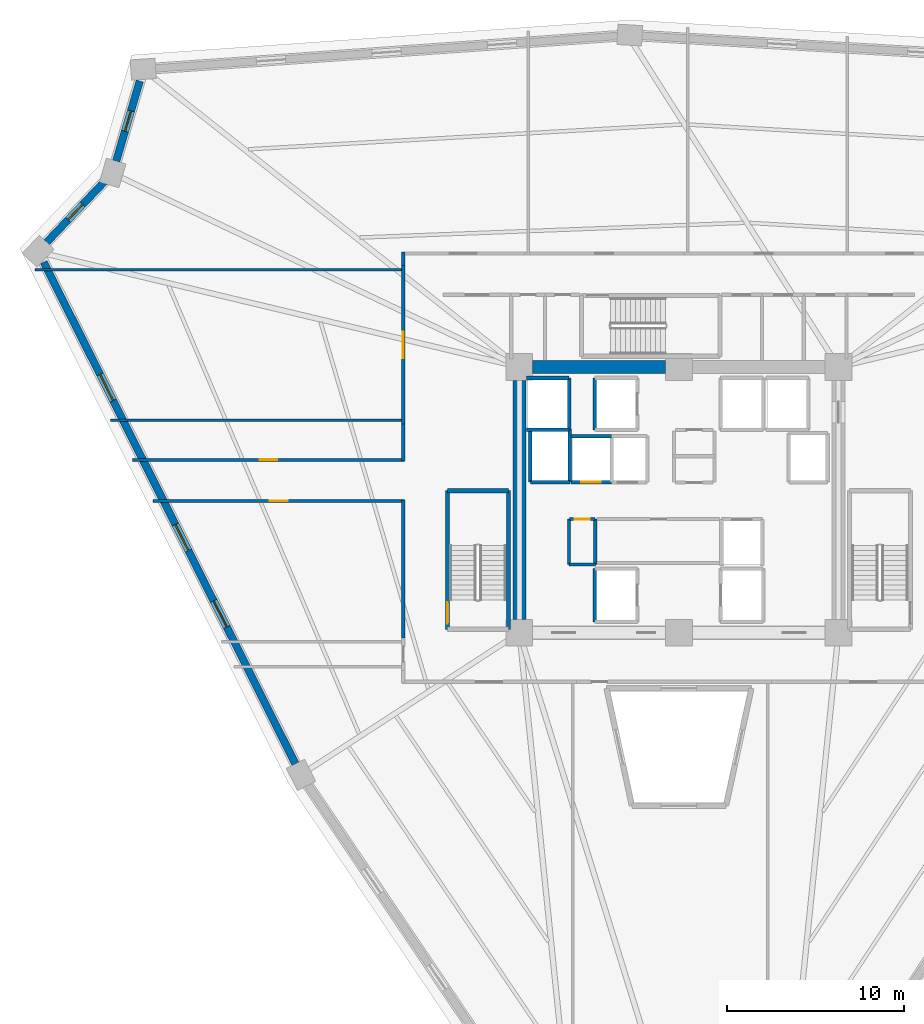
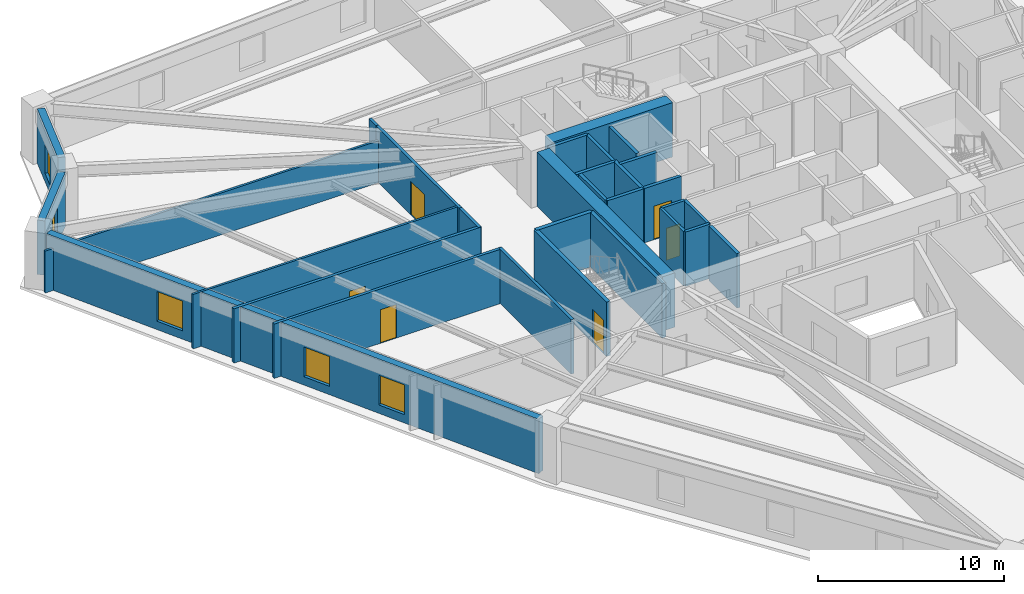
# One storey, part 4 of 9: 30 walls, 6 doors, 5 windows, 11 openings.
"""IFC4 building model written with IfcOpenShell, lengths in metres."""

from ifc_helpers import new_model, si_unit, direction, frame, frame_2d, origin, place, context, subcontext, project, spatial, rectangle, extrude, source, transform, mapped, material, layer, layer_set, type_object, element, fill, save


model = new_model("IFC4")

# Units and contexts
model_context = context("Model", 3, precision=1e-05, world=origin(), true_north=direction((0.0, 1.0)))
body_context = subcontext(model_context, "Body", "Model", "MODEL_VIEW")
ifc_project = project(units=[si_unit("LENGTHUNIT", "METRE"), si_unit("AREAUNIT", "SQUARE_METRE"), si_unit("VOLUMEUNIT", "CUBIC_METRE"), si_unit("PLANEANGLEUNIT", "RADIAN"), si_unit("MASSUNIT", "GRAM", prefix="KILO")], contexts=[model_context])

# Site, building, storey
site_placement = place(None, origin())
site = spatial("IfcSite", under=ifc_project, at=site_placement, CompositionType="ELEMENT")
building_placement = place(site_placement, origin())
building = spatial("IfcBuilding", under=site, at=building_placement, Name="Liaohun Quay Tower", CompositionType="ELEMENT")
storey_placement = place(building_placement, frame((0.0, 0.0, 132.0)))
storey = spatial("IfcBuildingStorey", under=building, at=storey_placement, Name="L34", CompositionType="ELEMENT", Elevation=132.0)

# Walls
ifc_material_1 = material(Name="Concrete C60", Category="concrete")
ifc_layer_1 = layer(ifc_material_1, 0.75, Name="Concrete C60", Category="concrete")
ifc_layer_set_1 = layer_set([ifc_layer_1], Name="Concrete C60")
wall_type_1 = type_object("IfcWallType", Name="WAL-COR-Z2", PredefinedType="SHEAR", material=ifc_layer_set_1)
wall_1_placement = place(storey_placement, frame((51.75, 61.5, 0.0), z_axis=(0.0, 0.0, 1.0), x_axis=(1.0, 0.0, 0.0)))
element("IfcWall", 1, at=wall_1_placement, inside=storey, type_object=wall_type_1, Name="L34 Central Core Shear Wall N-W", PredefinedType="SHEAR", context=body_context, shape_type="SweptSolid", body=[
    extrude(rectangle(XDim=7.5, YDim=0.75, at=frame_2d((3.75, 0.0))), origin(), (0.0, 0.0, 1.0), 3.570068359375),
])
wall_2_placement = place(storey_placement, frame((51.0, 47.25, 0.0), z_axis=(0.0, 0.0, 1.0), x_axis=(0.0, 1.0, 0.0)))
element("IfcWall", 2, at=wall_2_placement, inside=storey, type_object=wall_type_1, Name="L34 Central Core Shear Wall W", PredefinedType="SHEAR", context=body_context, shape_type="SweptSolid", body=[
    extrude(rectangle(XDim=13.5, YDim=0.75, at=frame_2d((6.75, 0.0))), origin(), (0.0, 0.0, 1.0), 3.570068359375),
])

# Wall, opening, window
ifc_material_2 = material(Name="Precast concrete C50 insulated sandwich", Category="concrete")
ifc_layer_2 = layer(ifc_material_2, 0.419921875, Name="Precast concrete C50 insulated sandwich", Category="concrete")
ifc_layer_set_2 = layer_set([ifc_layer_2], Name="Precast concrete C50 insulated sandwich")
wall_type_2 = type_object("IfcWallType", Name="WAL-EXT-Z12", PredefinedType="SOLIDWALL", material=ifc_layer_set_2)
wall_3_placement = place(storey_placement, frame((29.580078125, 77.636962890625, 0.0), z_axis=(0.0, 0.0, 1.0), x_axis=(-0.282785049885, -0.959183306549, 0.0)))
wall_3 = element("IfcWall", 3, at=wall_3_placement, inside=storey, type_object=wall_type_2, Name="L34 Brutalist Precast Pier Wall 08", PredefinedType="SOLIDWALL", context=body_context, shape_type="SweptSolid", body=[
    extrude(rectangle(XDim=4.720703125, YDim=0.419921875, at=frame_2d((2.3603515625, 0.0))), origin(), (0.0, 0.0, 1.0), 3.570068359375),
])
shared_shape_1 = source(origin(), body_context, "Body", "SweptSolid", [
    extrude(rectangle(XDim=1.199951171875, YDim=1.89990234375, at=frame_2d((0.60009765625, 0.949951171875))), frame((0.0, 0.219970703125, 0.0), z_axis=(0.0, -1.0, 0.0), x_axis=(1.0, 0.0, 0.0)), (0.0, 0.0, 1.0), 0.43994140625),
])
opening_1_placement = place(wall_3_placement, frame((1.760009765625, 0.0, 0.550048828125)))
opening_1 = element("IfcOpeningElement", 4, at=opening_1_placement, cuts=wall_3, Name="Opening W05", PredefinedType="OPENING", context=body_context, shape_type="MappedRepresentation", body=[
    mapped(shared_shape_1, transform((0.0, 0.0, 0.0), x_axis=(1.0, 0.0, 0.0), y_axis=(0.0, 1.0, 0.0), z_axis=(0.0, 0.0, 1.0), scale=1.0)),
])
ifc_material_3 = material(Name="Triple Low-E corner notch glazing", Category="glass")
window_type_1 = type_object("IfcWindowType", Name="WIN-NOTCH", PartitioningType="SINGLE_PANEL", PredefinedType="WINDOW", material=ifc_material_3)
shared_shape_2 = source(origin(), body_context, "Body", "SweptSolid", [
    extrude(rectangle(XDim=1.199951171875, YDim=1.89990234375, at=frame_2d((0.60009765625, 0.949951171875))), frame((0.0, 0.030029296875, 0.0), z_axis=(0.0, -1.0, 0.0), x_axis=(1.0, 0.0, 0.0)), (0.0, 0.0, 1.0), 0.06005859375),
])
window_1_placement = place(opening_1_placement, origin())
window_1 = element("IfcWindow", 5, at=window_1_placement, inside=storey, type_object=window_type_1, Name="L34 Corner Notch Window W05-08", OverallHeight=1.89990234375, OverallWidth=1.199951171875, PartitioningType="SINGLE_PANEL", PredefinedType="WINDOW", context=body_context, shape_type="MappedRepresentation", body=[
    mapped(shared_shape_2, transform((0.0, 0.0, 0.0), x_axis=(1.0, 0.0, 0.0), y_axis=(0.0, 1.0, 0.0), z_axis=(0.0, 0.0, 1.0), scale=1.0)),
])
fill(opening_1, window_1)

wall_4_placement = place(storey_placement, frame((27.573974609375, 71.947021484375, 0.0), z_axis=(0.0, 0.0, 1.0), x_axis=(-0.689277430431, -0.72449749751, 0.0)))
wall_4 = element("IfcWall", 6, at=wall_4_placement, inside=storey, type_object=wall_type_2, Name="L34 Brutalist Precast Pier Wall 09", PredefinedType="SOLIDWALL", context=body_context, shape_type="SweptSolid", body=[
    extrude(rectangle(XDim=4.713623046875, YDim=0.419921875, at=frame_2d((2.35693359375, 0.0))), origin(), (0.0, 0.0, 1.0), 3.570068359375),
])
opening_2_placement = place(wall_4_placement, frame((1.757080078125, 0.0, 0.550048828125)))
opening_2 = element("IfcOpeningElement", 7, at=opening_2_placement, cuts=wall_4, Name="Opening W05", PredefinedType="OPENING", context=body_context, shape_type="MappedRepresentation", body=[
    mapped(shared_shape_1, transform((0.0, 0.0, 0.0), x_axis=(1.0, 0.0, 0.0), y_axis=(0.0, 1.0, 0.0), z_axis=(0.0, 0.0, 1.0), scale=1.0)),
])
window_2_placement = place(opening_2_placement, origin())
window_2 = element("IfcWindow", 8, at=window_2_placement, inside=storey, type_object=window_type_1, Name="L34 Corner Notch Window W05-09", OverallHeight=1.89990234375, OverallWidth=1.199951171875, PartitioningType="SINGLE_PANEL", PredefinedType="WINDOW", context=body_context, shape_type="MappedRepresentation", body=[
    mapped(shared_shape_2, transform((0.0, 0.0, 0.0), x_axis=(1.0, 0.0, 0.0), y_axis=(0.0, 1.0, 0.0), z_axis=(0.0, 0.0, 1.0), scale=1.0)),
])
fill(opening_2, window_2)

# Wall, openings, windows
wall_5_placement = place(storey_placement, frame((24.157958984375, 67.4150390625, 0.0), z_axis=(0.0, 0.0, 1.0), x_axis=(0.448489429893, -0.893788135564, 0.0)))
wall_5 = element("IfcWall", 9, at=wall_5_placement, inside=storey, type_object=wall_type_2, Name="L34 Brutalist Precast Pier Wall 10", PredefinedType="SOLIDWALL", context=body_context, shape_type="SweptSolid", body=[
    extrude(rectangle(XDim=31.677490234375, YDim=0.419921875, at=frame_2d((15.8388671875, 0.0))), origin(), (0.0, 0.0, 1.0), 3.570068359375),
])
shared_shape_3 = source(origin(), body_context, "Body", "SweptSolid", [
    extrude(rectangle(XDim=1.64990234375, YDim=1.949951171875, at=frame_2d((0.824951171875, 0.97509765625))), frame((0.0, 0.219970703125, 0.0), z_axis=(0.0, -1.0, 0.0), x_axis=(1.0, 0.0, 0.0)), (0.0, 0.0, 1.0), 0.43994140625),
])
opening_3_placement = place(wall_5_placement, frame((7.093994140625, 0.0, 0.550048828125)))
opening_3 = element("IfcOpeningElement", 10, at=opening_3_placement, cuts=wall_5, Name="Opening W02", PredefinedType="OPENING", context=body_context, shape_type="MappedRepresentation", body=[
    mapped(shared_shape_3, transform((0.0, 0.0, 0.0), x_axis=(1.0, 0.0, 0.0), y_axis=(0.0, 1.0, 0.0), z_axis=(0.0, 0.0, 1.0), scale=1.0)),
])
opening_4_placement = place(wall_5_placement, frame((16.56396484375, 0.0, 0.550048828125)))
opening_4 = element("IfcOpeningElement", 11, at=opening_4_placement, cuts=wall_5, Name="Opening W02", PredefinedType="OPENING", context=body_context, shape_type="MappedRepresentation", body=[
    mapped(shared_shape_3, transform((0.0, 0.0, 0.0), x_axis=(1.0, 0.0, 0.0), y_axis=(0.0, 1.0, 0.0), z_axis=(0.0, 0.0, 1.0), scale=1.0)),
])
opening_5_placement = place(wall_5_placement, frame((21.383056640625, 0.0, 0.550048828125)))
opening_5 = element("IfcOpeningElement", 12, at=opening_5_placement, cuts=wall_5, Name="Opening W02", PredefinedType="OPENING", context=body_context, shape_type="MappedRepresentation", body=[
    mapped(shared_shape_3, transform((0.0, 0.0, 0.0), x_axis=(1.0, 0.0, 0.0), y_axis=(0.0, 1.0, 0.0), z_axis=(0.0, 0.0, 1.0), scale=1.0)),
])
ifc_material_4 = material(Name="Triple Low-E argon glazing in thermally broken aluminium", Category="aluminium")
window_type_2 = type_object("IfcWindowType", Name="WIN-PUN-Z2", PartitioningType="DOUBLE_PANEL_VERTICAL", PredefinedType="WINDOW", material=ifc_material_4)
shared_shape_4 = source(origin(), body_context, "Body", "SweptSolid", [
    extrude(rectangle(XDim=1.64990234375, YDim=1.949951171875, at=frame_2d((0.824951171875, 0.97509765625))), frame((0.0, 0.030029296875, 0.0), z_axis=(0.0, -1.0, 0.0), x_axis=(1.0, 0.0, 0.0)), (0.0, 0.0, 1.0), 0.06005859375),
])
window_3_placement = place(opening_3_placement, origin())
window_3 = element("IfcWindow", 13, at=window_3_placement, inside=storey, type_object=window_type_2, Name="L34 Recessed Cold-Climate Punched Window 10-1", OverallHeight=1.949951171875, OverallWidth=1.64990234375, PartitioningType="DOUBLE_PANEL_VERTICAL", PredefinedType="WINDOW", context=body_context, shape_type="MappedRepresentation", body=[
    mapped(shared_shape_4, transform((0.0, 0.0, 0.0), x_axis=(1.0, 0.0, 0.0), y_axis=(0.0, 1.0, 0.0), z_axis=(0.0, 0.0, 1.0), scale=1.0)),
])
fill(opening_3, window_3)
window_4_placement = place(opening_4_placement, origin())
window_4 = element("IfcWindow", 14, at=window_4_placement, inside=storey, type_object=window_type_2, Name="L34 Recessed Cold-Climate Punched Window 10-2", OverallHeight=1.949951171875, OverallWidth=1.64990234375, PartitioningType="DOUBLE_PANEL_VERTICAL", PredefinedType="WINDOW", context=body_context, shape_type="MappedRepresentation", body=[
    mapped(shared_shape_4, transform((0.0, 0.0, 0.0), x_axis=(1.0, 0.0, 0.0), y_axis=(0.0, 1.0, 0.0), z_axis=(0.0, 0.0, 1.0), scale=1.0)),
])
fill(opening_4, window_4)
window_5_placement = place(opening_5_placement, origin())
window_5 = element("IfcWindow", 15, at=window_5_placement, inside=storey, type_object=window_type_2, Name="L34 Recessed Cold-Climate Punched Window 10-3", OverallHeight=1.949951171875, OverallWidth=1.64990234375, PartitioningType="DOUBLE_PANEL_VERTICAL", PredefinedType="WINDOW", context=body_context, shape_type="MappedRepresentation", body=[
    mapped(shared_shape_4, transform((0.0, 0.0, 0.0), x_axis=(1.0, 0.0, 0.0), y_axis=(0.0, 1.0, 0.0), z_axis=(0.0, 0.0, 1.0), scale=1.0)),
])
fill(opening_5, window_5)

# Wall, opening, door
ifc_material_5 = material(Name="Autoclaved aerated concrete blockwork", Category="masonry")
ifc_layer_3 = layer(ifc_material_5, 0.179931640625, Name="Autoclaved aerated concrete blockwork", Category="masonry")
ifc_layer_set_3 = layer_set([ifc_layer_3], Name="Autoclaved aerated concrete blockwork")
wall_type_3 = type_object("IfcWallType", Name="WAL-PRT-COR", PredefinedType="PARTITIONING", material=ifc_layer_set_3)
wall_6_placement = place(storey_placement, frame((53.820068359375, 52.919921875, 0.0), z_axis=(0.0, 0.0, 1.0), x_axis=(1.0, 0.0, 0.0)))
wall_6 = element("IfcWall", 16, at=wall_6_placement, inside=storey, type_object=wall_type_3, Name="L34 Interior Partition Wall 004", PredefinedType="PARTITIONING", context=body_context, shape_type="SweptSolid", body=[
    extrude(rectangle(XDim=1.429931640625, YDim=0.179931640625, at=frame_2d((0.71484375, 0.0))), origin(), (0.0, 0.0, 1.0), 3.570068359375),
])
shared_shape_5 = source(origin(), body_context, "Body", "SweptSolid", [
    extrude(rectangle(XDim=0.85009765625, YDim=2.10009765625, at=frame_2d((0.425048828125, 1.050048828125))), frame((0.0, 0.099853515625, 0.0), z_axis=(0.0, -1.0, 0.0), x_axis=(1.0, 0.0, 0.0)), (0.0, 0.0, 1.0), 0.199951171875),
])
opening_6_placement = place(wall_6_placement, frame((0.2900390625, 0.0, 0.0)))
opening_6 = element("IfcOpeningElement", 17, at=opening_6_placement, cuts=wall_6, Name="Opening AD1", PredefinedType="OPENING", context=body_context, shape_type="MappedRepresentation", body=[
    mapped(shared_shape_5, transform((0.0, 0.0, 0.0), x_axis=(1.0, 0.0, 0.0), y_axis=(0.0, 1.0, 0.0), z_axis=(0.0, 0.0, 1.0), scale=1.0)),
])
ifc_material_6 = material(Name="Steel riser inspection fire door", Category="steel")
door_type_1 = type_object("IfcDoorType", Name="DOR-SHF-850", OperationType="NOTDEFINED", PredefinedType="DOOR", material=ifc_material_6)
shared_shape_6 = source(origin(), body_context, "Body", "SweptSolid", [
    extrude(rectangle(XDim=0.85009765625, YDim=2.10009765625, at=frame_2d((0.425048828125, 1.050048828125))), frame((0.0, 0.02490234375, 0.0), z_axis=(0.0, -1.0, 0.0), x_axis=(1.0, 0.0, 0.0)), (0.0, 0.0, 1.0), 0.050048828125),
])
door_1_placement = place(opening_6_placement, origin())
door_1 = element("IfcDoor", 18, at=door_1_placement, inside=storey, type_object=door_type_1, Name="L34 Core Fire Hose and Riser Closet Door", OperationType="SINGLE_SWING_LEFT", OverallHeight=2.10009765625, OverallWidth=0.85009765625, PredefinedType="DOOR", context=body_context, shape_type="MappedRepresentation", body=[
    mapped(shared_shape_6, transform((0.0, 0.0, 0.0), x_axis=(1.0, 0.0, 0.0), y_axis=(0.0, 1.0, 0.0), z_axis=(0.0, 0.0, 1.0), scale=1.0)),
])
fill(opening_6, door_1)

wall_7_placement = place(storey_placement, frame((44.43994140625, 58.284912109375, 0.0), z_axis=(0.0, 0.0, 1.0), x_axis=(0.0, 1.0, 0.0)))
wall_7 = element("IfcWall", 19, at=wall_7_placement, inside=storey, type_object=wall_type_3, Name="L34 Interior Partition Wall 020", PredefinedType="PARTITIONING", context=body_context, shape_type="SweptSolid", body=[
    extrude(rectangle(XDim=8.93017578125, YDim=0.179931640625, at=frame_2d((4.465087890625, 0.0))), origin(), (0.0, 0.0, 1.0), 3.570068359375),
])
shared_shape_7 = source(origin(), body_context, "Body", "SweptSolid", [
    extrude(rectangle(XDim=1.5, YDim=2.199951171875, at=frame_2d((0.75, 1.10009765625))), frame((0.0, 0.099853515625, 0.0), z_axis=(0.0, -1.0, 0.0), x_axis=(1.0, 0.0, 0.0)), (0.0, 0.0, 1.0), 0.199951171875),
])
opening_7_placement = place(wall_7_placement, frame((3.715087890625, 0.0, 0.0)))
opening_7 = element("IfcOpeningElement", 20, at=opening_7_placement, cuts=wall_7, Name="Opening OD2", PredefinedType="OPENING", context=body_context, shape_type="MappedRepresentation", body=[
    mapped(shared_shape_7, transform((0.0, 0.0, 0.0), x_axis=(1.0, 0.0, 0.0), y_axis=(0.0, 1.0, 0.0), z_axis=(0.0, 0.0, 1.0), scale=1.0)),
])
ifc_material_7 = material(Name="Acoustic oak veneer double door")
door_type_2 = type_object("IfcDoorType", Name="DOR-OFF-1500", OperationType="DOUBLE_DOOR_SINGLE_SWING", PredefinedType="DOOR", material=ifc_material_7)
shared_shape_8 = source(origin(), body_context, "Body", "SweptSolid", [
    extrude(rectangle(XDim=1.5, YDim=2.199951171875, at=frame_2d((0.75, 1.10009765625))), frame((0.0, 0.02490234375, 0.0), z_axis=(0.0, -1.0, 0.0), x_axis=(1.0, 0.0, 0.0)), (0.0, 0.0, 1.0), 0.050048828125),
])
door_2_placement = place(opening_7_placement, origin())
door_2 = element("IfcDoor", 21, at=door_2_placement, inside=storey, type_object=door_type_2, Name="L34 Staff Tea Kitchen and Pantry 06 Door", OperationType="DOUBLE_DOOR_SINGLE_SWING", OverallHeight=2.199951171875, OverallWidth=1.5, PredefinedType="DOOR", context=body_context, shape_type="MappedRepresentation", body=[
    mapped(shared_shape_8, transform((0.0, 0.0, 0.0), x_axis=(1.0, 0.0, 0.0), y_axis=(0.0, 1.0, 0.0), z_axis=(0.0, 0.0, 1.0), scale=1.0)),
])
fill(opening_7, door_2)

wall_8_placement = place(storey_placement, frame((29.159912109375, 56.260009765625, 0.0), z_axis=(0.0, 0.0, 1.0), x_axis=(1.0, 0.0, 0.0)))
wall_8 = element("IfcWall", 22, at=wall_8_placement, inside=storey, type_object=wall_type_3, Name="L34 Interior Partition Wall 021", PredefinedType="PARTITIONING", context=body_context, shape_type="SweptSolid", body=[
    extrude(rectangle(XDim=15.35009765625, YDim=0.179931640625, at=frame_2d((7.675048828125, 0.0))), origin(), (0.0, 0.0, 1.0), 3.570068359375),
])
shared_shape_9 = source(origin(), body_context, "Body", "SweptSolid", [
    extrude(rectangle(XDim=1.0, YDim=2.199951171875, at=frame_2d((0.5, 1.10009765625))), frame((0.0, 0.099853515625, 0.0), z_axis=(0.0, -1.0, 0.0), x_axis=(1.0, 0.0, 0.0)), (0.0, 0.0, 1.0), 0.199951171875),
])
opening_8_placement = place(wall_8_placement, frame((7.175048828125, 0.0, 0.0)))
opening_8 = element("IfcOpeningElement", 23, at=opening_8_placement, cuts=wall_8, Name="Opening OD1", PredefinedType="OPENING", context=body_context, shape_type="MappedRepresentation", body=[
    mapped(shared_shape_9, transform((0.0, 0.0, 0.0), x_axis=(1.0, 0.0, 0.0), y_axis=(0.0, 1.0, 0.0), z_axis=(0.0, 0.0, 1.0), scale=1.0)),
])
ifc_material_8 = material(Name="Solid-core oak veneer timber leaf in steel frame", Category="steel")
door_type_3 = type_object("IfcDoorType", Name="DOR-OFF-1000", OperationType="NOTDEFINED", PredefinedType="DOOR", material=ifc_material_8)
shared_shape_10 = source(origin(), body_context, "Body", "SweptSolid", [
    extrude(rectangle(XDim=1.0, YDim=2.199951171875, at=frame_2d((0.5, 1.10009765625))), frame((0.0, 0.02490234375, 0.0), z_axis=(0.0, -1.0, 0.0), x_axis=(1.0, 0.0, 0.0)), (0.0, 0.0, 1.0), 0.050048828125),
])
door_3_placement = place(opening_8_placement, origin())
door_3 = element("IfcDoor", 24, at=door_3_placement, inside=storey, type_object=door_type_3, Name="L34 Technical Reference Library 07 Door", OperationType="SINGLE_SWING_RIGHT", OverallHeight=2.199951171875, OverallWidth=1.0, PredefinedType="DOOR", context=body_context, shape_type="MappedRepresentation", body=[
    mapped(shared_shape_10, transform((0.0, 0.0, 0.0), x_axis=(1.0, 0.0, 0.0), y_axis=(0.0, 1.0, 0.0), z_axis=(0.0, 0.0, 1.0), scale=1.0)),
])
fill(opening_8, door_3)

wall_9_placement = place(storey_placement, frame((44.510009765625, 53.93994140625, 0.0), z_axis=(0.0, 0.0, 1.0), x_axis=(-1.0, 0.0, 0.0)))
wall_9 = element("IfcWall", 25, at=wall_9_placement, inside=storey, type_object=wall_type_3, Name="L34 Interior Partition Wall 022", PredefinedType="PARTITIONING", context=body_context, shape_type="SweptSolid", body=[
    extrude(rectangle(XDim=14.18603515625, YDim=0.179931640625, at=frame_2d((7.093017578125, 0.0))), origin(), (0.0, 0.0, 1.0), 3.570068359375),
])
opening_9_placement = place(wall_9_placement, frame((6.593017578125, 0.0, 0.0)))
opening_9 = element("IfcOpeningElement", 26, at=opening_9_placement, cuts=wall_9, Name="Opening OD1", PredefinedType="OPENING", context=body_context, shape_type="MappedRepresentation", body=[
    mapped(shared_shape_9, transform((0.0, 0.0, 0.0), x_axis=(1.0, 0.0, 0.0), y_axis=(0.0, 1.0, 0.0), z_axis=(0.0, 0.0, 1.0), scale=1.0)),
])
door_4_placement = place(opening_9_placement, origin())
door_4 = element("IfcDoor", 27, at=door_4_placement, inside=storey, type_object=door_type_3, Name="L34 Digital Prototyping Laboratory 08 Door", OperationType="SINGLE_SWING_LEFT", OverallHeight=2.199951171875, OverallWidth=1.0, PredefinedType="DOOR", context=body_context, shape_type="MappedRepresentation", body=[
    mapped(shared_shape_10, transform((0.0, 0.0, 0.0), x_axis=(1.0, 0.0, 0.0), y_axis=(0.0, 1.0, 0.0), z_axis=(0.0, 0.0, 1.0), scale=1.0)),
])
fill(opening_9, door_4)

# Walls
wall_10_placement = place(storey_placement, frame((53.7900390625, 50.35009765625, 0.0), z_axis=(0.0, 0.0, 1.0), x_axis=(0.0, 1.0, 0.0)))
element("IfcWall", 28, at=wall_10_placement, inside=storey, type_object=wall_type_3, Name="L34 Interior Partition Wall 031", PredefinedType="PARTITIONING", context=body_context, shape_type="SweptSolid", body=[
    extrude(rectangle(XDim=2.56982421875, YDim=0.179931640625, at=frame_2d((1.284912109375, 0.0))), origin(), (0.0, 0.0, 1.0), 3.570068359375),
])
wall_11_placement = place(storey_placement, frame((53.7900390625, 50.35009765625, 0.0), z_axis=(0.0, 0.0, 1.0), x_axis=(1.0, 0.0, 0.0)))
element("IfcWall", 29, at=wall_11_placement, inside=storey, type_object=wall_type_3, Name="L34 Interior Partition Wall 032", PredefinedType="PARTITIONING", context=body_context, shape_type="SweptSolid", body=[
    extrude(rectangle(XDim=1.489990234375, YDim=0.179931640625, at=frame_2d((0.7451171875, 0.0))), origin(), (0.0, 0.0, 1.0), 3.570068359375),
])
wall_12_placement = place(storey_placement, frame((55.280029296875, 50.35009765625, 0.0), z_axis=(0.0, 0.0, 1.0), x_axis=(0.0, 1.0, 0.0)))
element("IfcWall", 30, at=wall_12_placement, inside=storey, type_object=wall_type_3, Name="L34 Interior Partition Wall 033", PredefinedType="PARTITIONING", context=body_context, shape_type="SweptSolid", body=[
    extrude(rectangle(XDim=2.56982421875, YDim=0.179931640625, at=frame_2d((1.284912109375, 0.0))), origin(), (0.0, 0.0, 1.0), 3.570068359375),
])
wall_13_placement = place(storey_placement, frame((44.43994140625, 67.215087890625, 0.0), z_axis=(0.0, 0.0, 1.0), x_axis=(0.0, 1.0, 0.0)))
element("IfcWall", 31, at=wall_13_placement, inside=storey, type_object=wall_type_3, Name="L34 Interior Partition Wall 046", PredefinedType="PARTITIONING", context=body_context, shape_type="SweptSolid", body=[
    extrude(rectangle(XDim=0.764892578125, YDim=0.179931640625, at=frame_2d((0.38232421875, 0.0))), origin(), (0.0, 0.0, 1.0), 3.570068359375),
])
wall_14_placement = place(storey_placement, frame((44.43994140625, 56.18994140625, 0.0), z_axis=(0.0, 0.0, 1.0), x_axis=(0.0, 1.0, 0.0)))
element("IfcWall", 32, at=wall_14_placement, inside=storey, type_object=wall_type_3, Name="L34 Interior Partition Wall 047", PredefinedType="PARTITIONING", context=body_context, shape_type="SweptSolid", body=[
    extrude(rectangle(XDim=2.094970703125, YDim=0.179931640625, at=frame_2d((1.04736328125, 0.0))), origin(), (0.0, 0.0, 1.0), 3.570068359375),
])
wall_15_placement = place(storey_placement, frame((44.43994140625, 46.215087890625, 0.0), z_axis=(0.0, 0.0, 1.0), x_axis=(0.0, 1.0, 0.0)))
element("IfcWall", 33, at=wall_15_placement, inside=storey, type_object=wall_type_3, Name="L34 Interior Partition Wall 048", PredefinedType="PARTITIONING", context=body_context, shape_type="SweptSolid", body=[
    extrude(rectangle(XDim=7.794921875, YDim=0.179931640625, at=frame_2d((3.8974609375, 0.0))), origin(), (0.0, 0.0, 1.0), 3.570068359375),
])
ifc_material_9 = material(Name="Gypsum board on twin steel studs", Category="steel")
ifc_layer_4 = layer(ifc_material_9, 0.139892578125, Name="Gypsum board on twin steel studs", Category="steel")
ifc_layer_set_4 = layer_set([ifc_layer_4], Name="Gypsum board on twin steel studs")
wall_type_4 = type_object("IfcWallType", Name="WAL-PRT-OFF", PredefinedType="PARTITIONING", material=ifc_layer_set_4)
wall_16_placement = place(storey_placement, frame((44.5400390625, 58.5, 0.0), z_axis=(0.0, 0.0, 1.0), x_axis=(-1.0, 0.0, 0.0)))
element("IfcWall", 34, at=wall_16_placement, inside=storey, type_object=wall_type_4, Name="L34 Interior Partition Wall 054", PredefinedType="PARTITIONING", context=body_context, shape_type="SweptSolid", body=[
    extrude(rectangle(XDim=16.613037109375, YDim=0.139892578125, at=frame_2d((8.306640625, 0.0))), origin(), (0.0, 0.0, 1.0), 3.570068359375),
])
wall_17_placement = place(storey_placement, frame((44.5400390625, 67.0, 0.0), z_axis=(0.0, 0.0, 1.0), x_axis=(-1.0, 0.0, 0.0)))
element("IfcWall", 35, at=wall_17_placement, inside=storey, type_object=wall_type_4, Name="L34 Interior Partition Wall 055", PredefinedType="PARTITIONING", context=body_context, shape_type="SweptSolid", body=[
    extrude(rectangle(XDim=20.8779296875, YDim=0.139892578125, at=frame_2d((10.43896484375, 0.0))), origin(), (0.0, 0.0, 1.0), 2.7548828125),
])
ifc_material_10 = material(Name="Concrete C50", Category="concrete")
ifc_layer_5 = layer(ifc_material_10, 0.239990234375, Name="Concrete C50", Category="concrete")
ifc_layer_set_5 = layer_set([ifc_layer_5], Name="Concrete C50")
wall_type_5 = type_object("IfcWallType", Name="WAL-SHF-200", PredefinedType="SOLIDWALL", material=ifc_layer_set_5)
wall_18_placement = place(storey_placement, frame((50.3798828125, 46.699951171875, 0.0), z_axis=(0.0, 0.0, 1.0), x_axis=(0.0, 1.0, 0.0)))
element("IfcWall", 36, at=wall_18_placement, inside=storey, type_object=wall_type_5, Name="L34 Stairwell ST-1 Structural Core Wall E", PredefinedType="SOLIDWALL", context=body_context, shape_type="SweptSolid", body=[
    extrude(rectangle(XDim=7.820068359375, YDim=0.239990234375, at=frame_2d((3.91015625, 0.0))), origin(), (0.0, 0.0, 1.0), 3.570068359375),
])
wall_19_placement = place(storey_placement, frame((50.3798828125, 54.52001953125, 0.0), z_axis=(0.0, 0.0, 1.0), x_axis=(-1.0, 0.0, 0.0)))
element("IfcWall", 37, at=wall_19_placement, inside=storey, type_object=wall_type_5, Name="L34 Stairwell ST-1 Structural Core Wall N", PredefinedType="SOLIDWALL", context=body_context, shape_type="SweptSolid", body=[
    extrude(rectangle(XDim=3.43994140625, YDim=0.239990234375, at=frame_2d((1.719970703125, 0.0))), origin(), (0.0, 0.0, 1.0), 3.570068359375),
])

# Wall, opening, door
wall_20_placement = place(storey_placement, frame((46.93994140625, 54.52001953125, 0.0), z_axis=(0.0, 0.0, 1.0), x_axis=(0.0, -1.0, 0.0)))
wall_20 = element("IfcWall", 38, at=wall_20_placement, inside=storey, type_object=wall_type_5, Name="L34 Stairwell ST-1 Structural Core Wall W", PredefinedType="SOLIDWALL", context=body_context, shape_type="SweptSolid", body=[
    extrude(rectangle(XDim=7.820068359375, YDim=0.239990234375, at=frame_2d((3.91015625, 0.0))), origin(), (0.0, 0.0, 1.0), 3.570068359375),
])
shared_shape_11 = source(origin(), body_context, "Body", "SweptSolid", [
    extrude(rectangle(XDim=1.199951171875, YDim=2.199951171875, at=frame_2d((0.60009765625, 1.10009765625))), frame((0.0, 0.1298828125, 0.0), z_axis=(0.0, -1.0, 0.0), x_axis=(1.0, 0.0, 0.0)), (0.0, 0.0, 1.0), 0.260009765625),
])
opening_10_placement = place(wall_20_placement, frame((6.300048828125, 0.0, 0.0)))
opening_10 = element("IfcOpeningElement", 39, at=opening_10_placement, cuts=wall_20, Name="Opening SD1", PredefinedType="OPENING", context=body_context, shape_type="MappedRepresentation", body=[
    mapped(shared_shape_11, transform((0.0, 0.0, 0.0), x_axis=(1.0, 0.0, 0.0), y_axis=(0.0, 1.0, 0.0), z_axis=(0.0, 0.0, 1.0), scale=1.0)),
])
ifc_material_11 = material(Name="Galvanised steel fire door", Category="steel")
door_type_4 = type_object("IfcDoorType", Name="DOR-STR-1200", OperationType="NOTDEFINED", PredefinedType="DOOR", material=ifc_material_11)
shared_shape_12 = source(origin(), body_context, "Body", "SweptSolid", [
    extrude(rectangle(XDim=1.199951171875, YDim=2.199951171875, at=frame_2d((0.60009765625, 1.10009765625))), frame((0.0, 0.02490234375, 0.0), z_axis=(0.0, -1.0, 0.0), x_axis=(1.0, 0.0, 0.0)), (0.0, 0.0, 1.0), 0.050048828125),
])
door_5_placement = place(opening_10_placement, origin())
door_5 = element("IfcDoor", 40, at=door_5_placement, inside=storey, type_object=door_type_4, Name="L34 Protected Stair ST-1 Fire Door", OperationType="SINGLE_SWING_LEFT", OverallHeight=2.199951171875, OverallWidth=1.199951171875, PredefinedType="DOOR", context=body_context, shape_type="MappedRepresentation", body=[
    mapped(shared_shape_12, transform((0.0, 0.0, 0.0), x_axis=(1.0, 0.0, 0.0), y_axis=(0.0, 1.0, 0.0), z_axis=(0.0, 0.0, 1.0), scale=1.0)),
])
fill(opening_10, door_5)

# Walls
wall_21_placement = place(storey_placement, frame((55.25, 50.1201171875, 0.0), z_axis=(0.0, 0.0, 1.0), x_axis=(0.0, -1.0, 0.0)))
element("IfcWall", 41, at=wall_21_placement, inside=storey, type_object=wall_type_5, Name="L34 Lift FF-01 Hoistway Wall W", PredefinedType="SOLIDWALL", context=body_context, shape_type="SweptSolid", body=[
    extrude(rectangle(XDim=3.0, YDim=0.199951171875, at=frame_2d((1.5, 0.0))), origin(), (0.0, 0.0, 1.0), 3.570068359375),
])
wall_22_placement = place(storey_placement, frame((55.25, 60.8798828125, 0.0), z_axis=(0.0, 0.0, 1.0), x_axis=(0.0, -1.0, 0.0)))
element("IfcWall", 42, at=wall_22_placement, inside=storey, type_object=wall_type_5, Name="L34 Lift FF-03 Hoistway Wall W", PredefinedType="SOLIDWALL", context=body_context, shape_type="SweptSolid", body=[
    extrude(rectangle(XDim=2.929931640625, YDim=0.199951171875, at=frame_2d((1.46484375, 0.0))), origin(), (0.0, 0.0, 1.0), 3.570068359375),
])
wall_23_placement = place(storey_placement, frame((51.39990234375, 57.949951171875, 0.0), z_axis=(0.0, 0.0, 1.0), x_axis=(1.0, 0.0, 0.0)))
element("IfcWall", 43, at=wall_23_placement, inside=storey, type_object=wall_type_5, Name="L34 Lift SH-01 Hoistway Wall S", PredefinedType="SOLIDWALL", context=body_context, shape_type="SweptSolid", body=[
    extrude(rectangle(XDim=2.400146484375, YDim=0.199951171875, at=frame_2d((1.2001953125, 0.0))), origin(), (0.0, 0.0, 1.0), 3.570068359375),
])
wall_24_placement = place(storey_placement, frame((53.800048828125, 57.949951171875, 0.0), z_axis=(0.0, 0.0, 1.0), x_axis=(0.0, 1.0, 0.0)))
element("IfcWall", 44, at=wall_24_placement, inside=storey, type_object=wall_type_5, Name="L34 Lift SH-01 Hoistway Wall E", PredefinedType="SOLIDWALL", context=body_context, shape_type="SweptSolid", body=[
    extrude(rectangle(XDim=2.929931640625, YDim=0.199951171875, at=frame_2d((1.46484375, 0.0))), origin(), (0.0, 0.0, 1.0), 3.570068359375),
])
wall_25_placement = place(storey_placement, frame((53.800048828125, 60.8798828125, 0.0), z_axis=(0.0, 0.0, 1.0), x_axis=(-1.0, 0.0, 0.0)))
element("IfcWall", 45, at=wall_25_placement, inside=storey, type_object=wall_type_5, Name="L34 Lift SH-01 Hoistway Wall N", PredefinedType="SOLIDWALL", context=body_context, shape_type="SweptSolid", body=[
    extrude(rectangle(XDim=2.400146484375, YDim=0.199951171875, at=frame_2d((1.2001953125, 0.0))), origin(), (0.0, 0.0, 1.0), 3.570068359375),
])
wall_26_placement = place(storey_placement, frame((51.6201171875, 55.0, 0.0), z_axis=(0.0, 0.0, 1.0), x_axis=(1.0, 0.0, 0.0)))
element("IfcWall", 46, at=wall_26_placement, inside=storey, type_object=wall_type_5, Name="L34 Lift SH-02 Hoistway Wall S", PredefinedType="SOLIDWALL", context=body_context, shape_type="SweptSolid", body=[
    extrude(rectangle(XDim=2.22998046875, YDim=0.199951171875, at=frame_2d((1.114990234375, 0.0))), origin(), (0.0, 0.0, 1.0), 3.570068359375),
])
for number, where, z_axis, x_axis, name in (
    (47, (53.85009765625, 55.0, 0.0), (0.0, 0.0, 1.0), (0.0, 1.0, 0.0), "L34 Lift SH-02 Hoistway Wall E"),
    (48, (51.6201171875, 58.0, 0.0), (0.0, 0.0, 1.0), (0.0, -1.0, 0.0), "L34 Lift SH-02 Hoistway Wall W"),
):
    element("IfcWall", number, at=place(storey_placement, frame(where, z_axis=z_axis, x_axis=x_axis)), inside=storey, type_object=wall_type_5, Name=name, PredefinedType="SOLIDWALL", context=body_context, shape_type="SweptSolid", body=[
        extrude(rectangle(XDim=3.0, YDim=0.199951171875, at=frame_2d((1.5, 0.0))), origin(), (0.0, 0.0, 1.0), 3.570068359375),
    ])

# Wall, opening, door
wall_27_placement = place(storey_placement, frame((53.89990234375, 55.0, 0.0), z_axis=(0.0, 0.0, 1.0), x_axis=(1.0, 0.0, 0.0)))
wall_27 = element("IfcWall", 49, at=wall_27_placement, inside=storey, type_object=wall_type_5, Name="L34 Lift PL-2B Hoistway Wall S", PredefinedType="SOLIDWALL", context=body_context, shape_type="SweptSolid", body=[
    extrude(rectangle(XDim=2.300048828125, YDim=0.199951171875, at=frame_2d((1.14990234375, 0.0))), origin(), (0.0, 0.0, 1.0), 3.570068359375),
])
shared_shape_13 = source(origin(), body_context, "Body", "SweptSolid", [
    extrude(rectangle(XDim=1.10009765625, YDim=2.199951171875, at=frame_2d((0.550048828125, 1.10009765625))), frame((0.0, 0.10986328125, 0.0), z_axis=(0.0, -1.0, 0.0), x_axis=(1.0, 0.0, 0.0)), (0.0, 0.0, 1.0), 0.219970703125),
])
opening_11_placement = place(wall_27_placement, frame((0.60009765625, 0.0, 0.0)))
opening_11 = element("IfcOpeningElement", 50, at=opening_11_placement, cuts=wall_27, Name="Opening LD1", PredefinedType="OPENING", context=body_context, shape_type="MappedRepresentation", body=[
    mapped(shared_shape_13, transform((0.0, 0.0, 0.0), x_axis=(1.0, 0.0, 0.0), y_axis=(0.0, 1.0, 0.0), z_axis=(0.0, 0.0, 1.0), scale=1.0)),
])
ifc_material_12 = material(Name="Brushed stainless steel landing door", Category="steel")
door_type_5 = type_object("IfcDoorType", Name="DOR-LFT-1100", OperationType="SLIDING_TO_LEFT", PredefinedType="DOOR", material=ifc_material_12)
shared_shape_14 = source(origin(), body_context, "Body", "SweptSolid", [
    extrude(rectangle(XDim=1.10009765625, YDim=2.199951171875, at=frame_2d((0.550048828125, 1.10009765625))), frame((0.0, 0.02490234375, 0.0), z_axis=(0.0, -1.0, 0.0), x_axis=(1.0, 0.0, 0.0)), (0.0, 0.0, 1.0), 0.050048828125),
])
door_6_placement = place(opening_11_placement, origin())
door_6 = element("IfcDoor", 51, at=door_6_placement, inside=storey, type_object=door_type_5, Name="L34 Lift PL-2B Sliding Landing Door", OperationType="SLIDING_TO_LEFT", OverallHeight=2.199951171875, OverallWidth=1.10009765625, PredefinedType="DOOR", context=body_context, shape_type="MappedRepresentation", body=[
    mapped(shared_shape_14, transform((0.0, 0.0, 0.0), x_axis=(1.0, 0.0, 0.0), y_axis=(0.0, 1.0, 0.0), z_axis=(0.0, 0.0, 1.0), scale=1.0)),
])
fill(opening_11, door_6)

# Wall
wall_28_placement = place(storey_placement, frame((56.199951171875, 57.60009765625, 0.0), z_axis=(0.0, 0.0, 1.0), x_axis=(-1.0, 0.0, 0.0)))
element("IfcWall", 52, at=wall_28_placement, inside=storey, type_object=wall_type_5, Name="L34 Lift PL-2B Hoistway Wall N", PredefinedType="SOLIDWALL", context=body_context, shape_type="SweptSolid", body=[
    extrude(rectangle(XDim=2.300048828125, YDim=0.199951171875, at=frame_2d((1.14990234375, 0.0))), origin(), (0.0, 0.0, 1.0), 3.570068359375),
])

save(model, "model.ifc")
